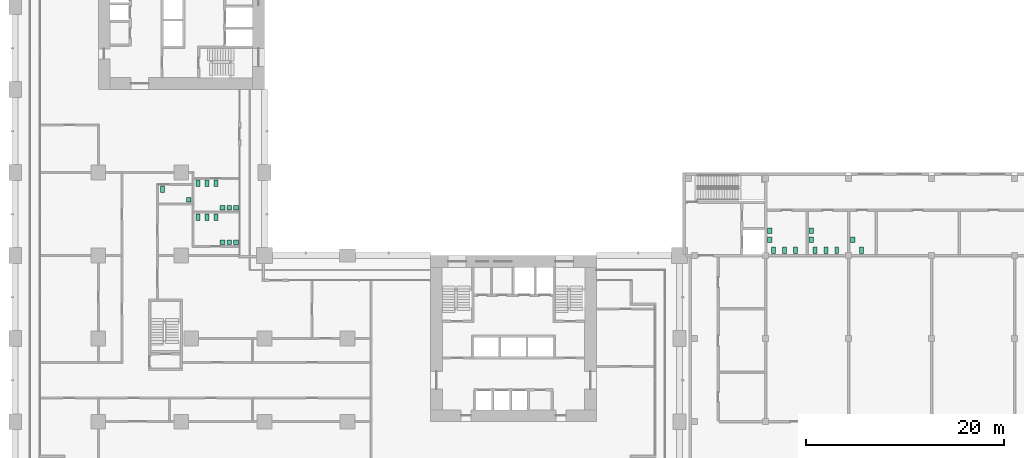
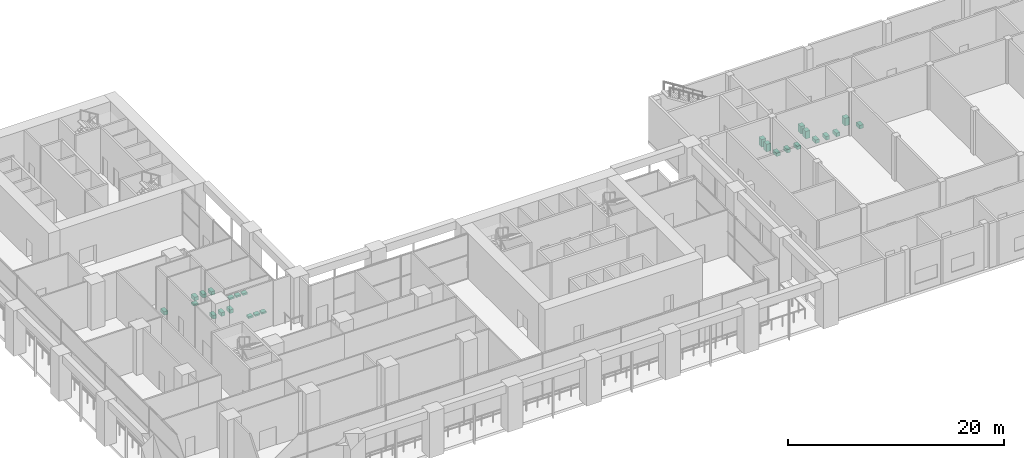
# One storey, part 32 of 32: 26 sanitary terminals.
"""IFC4 building model written with IfcOpenShell, lengths in metres."""

from ifc_helpers import new_model, si_unit, direction, frame, origin, origin_2d, place, context, subcontext, project, spatial, rectangle, extrude, material, element, save


model = new_model("IFC4")

# Units and contexts
model_context = context("Model", 3, precision=1e-05, world=origin(), true_north=direction((0.0, 1.0)))
body_context = subcontext(model_context, "Body", "Model", "MODEL_VIEW")
ifc_project = project(units=[si_unit("LENGTHUNIT", "METRE"), si_unit("AREAUNIT", "SQUARE_METRE"), si_unit("VOLUMEUNIT", "CUBIC_METRE"), si_unit("PLANEANGLEUNIT", "RADIAN"), si_unit("MASSUNIT", "GRAM", prefix="KILO")], contexts=[model_context])

# Site, building, storey
site_placement = place(None, origin())
site = spatial("IfcSite", under=ifc_project, at=site_placement, CompositionType="ELEMENT")
building_placement = place(site_placement, origin())
building = spatial("IfcBuilding", under=site, at=building_placement, Name="Vermilion Gate Residences", CompositionType="ELEMENT")
storey_placement = place(building_placement, frame((0.0, 0.0, 19.800048828125)))
storey = spatial("IfcBuildingStorey", under=building, at=storey_placement, Name="L03", CompositionType="ELEMENT", Elevation=19.800048828125)

# Sanitary terminals
ifc_material = material(Name="Vitreous china")
for number, where, z_axis, x_axis, name in (
    (1, (18.5, 29.10009765625, 0.0), (0.0, 0.0, 1.0), (1.0, 0.0, 0.0), "Water closet 1"),
    (2, (19.39990234375, 29.10009765625, 0.0), (0.0, 0.0, 1.0), (1.0, 0.0, 0.0), "Water closet 2"),
    (3, (20.300048828125, 29.10009765625, 0.0), (0.0, 0.0, 1.0), (1.0, 0.0, 0.0), "Water closet 3"),
):
    element("IfcSanitaryTerminal", number, at=place(storey_placement, frame(where, z_axis=z_axis, x_axis=x_axis)), inside=storey, material=ifc_material, Name=name, PredefinedType="TOILETPAN", context=body_context, shape_type="SweptSolid", body=[
        extrude(rectangle(XDim=0.39990234375, YDim=0.64990234375, at=origin_2d()), origin(), (0.0, 0.0, 1.0), 0.39990234375),
    ])
for number, where, z_axis, x_axis, name in (
    (4, (22.35009765625, 26.550048828125, 0.7001953125), (0.0, 0.0, 1.0), (1.0, 0.0, 0.0), "Wash basin 4"),
    (5, (21.64990234375, 26.550048828125, 0.7001953125), (0.0, 0.0, 1.0), (1.0, 0.0, 0.0), "Wash basin 5"),
    (6, (20.949951171875, 26.550048828125, 0.7001953125), (0.0, 0.0, 1.0), (1.0, 0.0, 0.0), "Wash basin 6"),
):
    element("IfcSanitaryTerminal", number, at=place(storey_placement, frame(where, z_axis=z_axis, x_axis=x_axis)), inside=storey, material=ifc_material, Name=name, PredefinedType="WASHHANDBASIN", context=body_context, shape_type="SweptSolid", body=[
        extrude(rectangle(XDim=0.5, YDim=0.449951171875, at=origin_2d()), origin(), (0.0, 0.0, 1.0), 0.199951171875),
    ])
for number, where, z_axis, x_axis, name in (
    (7, (18.5, 32.5, 0.0), (0.0, 0.0, 1.0), (1.0, 0.0, 0.0), "Water closet 7"),
    (8, (19.39990234375, 32.5, 0.0), (0.0, 0.0, 1.0), (1.0, 0.0, 0.0), "Water closet 8"),
    (9, (20.300048828125, 32.5, 0.0), (0.0, 0.0, 1.0), (1.0, 0.0, 0.0), "Water closet 9"),
):
    element("IfcSanitaryTerminal", number, at=place(storey_placement, frame(where, z_axis=z_axis, x_axis=x_axis)), inside=storey, material=ifc_material, Name=name, PredefinedType="TOILETPAN", context=body_context, shape_type="SweptSolid", body=[
        extrude(rectangle(XDim=0.39990234375, YDim=0.64990234375, at=origin_2d()), origin(), (0.0, 0.0, 1.0), 0.39990234375),
    ])
for number, where, z_axis, x_axis, name in (
    (10, (22.35009765625, 30.050048828125, 0.7001953125), (0.0, 0.0, 1.0), (1.0, 0.0, 0.0), "Wash basin 10"),
    (11, (21.64990234375, 30.050048828125, 0.7001953125), (0.0, 0.0, 1.0), (1.0, 0.0, 0.0), "Wash basin 11"),
    (12, (20.949951171875, 30.050048828125, 0.7001953125), (0.0, 0.0, 1.0), (1.0, 0.0, 0.0), "Wash basin 12"),
):
    element("IfcSanitaryTerminal", number, at=place(storey_placement, frame(where, z_axis=z_axis, x_axis=x_axis)), inside=storey, material=ifc_material, Name=name, PredefinedType="WASHHANDBASIN", context=body_context, shape_type="SweptSolid", body=[
        extrude(rectangle(XDim=0.5, YDim=0.449951171875, at=origin_2d()), origin(), (0.0, 0.0, 1.0), 0.199951171875),
    ])
sanitary_terminal_1_placement = place(storey_placement, frame((14.89990234375, 31.89990234375, 0.0), z_axis=(0.0, 0.0, 1.0), x_axis=(1.0, 0.0, 0.0)))
element("IfcSanitaryTerminal", 13, at=sanitary_terminal_1_placement, inside=storey, material=ifc_material, Name="Water closet 13", PredefinedType="TOILETPAN", context=body_context, shape_type="SweptSolid", body=[
    extrude(rectangle(XDim=0.39990234375, YDim=0.64990234375, at=origin_2d()), origin(), (0.0, 0.0, 1.0), 0.39990234375),
])
sanitary_terminal_2_placement = place(storey_placement, frame((17.550048828125, 30.85009765625, 0.7001953125), z_axis=(0.0, 0.0, 1.0), x_axis=(1.0, 0.0, 0.0)))
element("IfcSanitaryTerminal", 14, at=sanitary_terminal_2_placement, inside=storey, material=ifc_material, Name="Wash basin 14", PredefinedType="WASHHANDBASIN", context=body_context, shape_type="SweptSolid", body=[
    extrude(rectangle(XDim=0.5, YDim=0.449951171875, at=origin_2d()), origin(), (0.0, 0.0, 1.0), 0.199951171875),
])
for number, where, z_axis, x_axis, name in (
    (15, (76.72509765625, 25.75, 0.0), (0.0, 0.0, 1.0), (1.0, 0.0, 0.0), "WC pan Men's WC 1"),
    (16, (77.824951171875, 25.75, 0.0), (0.0, 0.0, 1.0), (1.0, 0.0, 0.0), "WC pan Men's WC 2"),
    (17, (78.925048828125, 25.75, 0.0), (0.0, 0.0, 1.0), (1.0, 0.0, 0.0), "WC pan Men's WC 3"),
):
    element("IfcSanitaryTerminal", number, at=place(storey_placement, frame(where, z_axis=z_axis, x_axis=x_axis)), inside=storey, material=ifc_material, Name=name, PredefinedType="TOILETPAN", context=body_context, shape_type="SweptSolid", body=[
        extrude(rectangle(XDim=0.39990234375, YDim=0.64990234375, at=origin_2d()), origin(), (0.0, 0.0, 1.0), 0.39990234375),
    ])
for number, where, z_axis, x_axis, name in (
    (18, (76.324951171875, 26.800048828125, 0.0), (0.0, 0.0, 1.0), (1.0, 0.0, 0.0), "Basin Men's WC 1"),
    (19, (76.324951171875, 27.699951171875, 0.0), (0.0, 0.0, 1.0), (1.0, 0.0, 0.0), "Basin Men's WC 2"),
):
    element("IfcSanitaryTerminal", number, at=place(storey_placement, frame(where, z_axis=z_axis, x_axis=x_axis)), inside=storey, material=ifc_material, Name=name, PredefinedType="WASHHANDBASIN", context=body_context, shape_type="SweptSolid", body=[
        extrude(rectangle(XDim=0.449951171875, YDim=0.550048828125, at=origin_2d()), origin(), (0.0, 0.0, 1.0), 0.85009765625),
    ])
for number, where, z_axis, x_axis, name in (
    (20, (80.89990234375, 25.75, 0.0), (0.0, 0.0, 1.0), (1.0, 0.0, 0.0), "WC pan Women's WC 1"),
    (21, (82.0, 25.75, 0.0), (0.0, 0.0, 1.0), (1.0, 0.0, 0.0), "WC pan Women's WC 2"),
    (22, (83.10009765625, 25.75, 0.0), (0.0, 0.0, 1.0), (1.0, 0.0, 0.0), "WC pan Women's WC 3"),
):
    element("IfcSanitaryTerminal", number, at=place(storey_placement, frame(where, z_axis=z_axis, x_axis=x_axis)), inside=storey, material=ifc_material, Name=name, PredefinedType="TOILETPAN", context=body_context, shape_type="SweptSolid", body=[
        extrude(rectangle(XDim=0.39990234375, YDim=0.64990234375, at=origin_2d()), origin(), (0.0, 0.0, 1.0), 0.39990234375),
    ])
for number, where, z_axis, x_axis, name in (
    (23, (80.5, 26.800048828125, 0.0), (0.0, 0.0, 1.0), (1.0, 0.0, 0.0), "Basin Women's WC 1"),
    (24, (80.5, 27.699951171875, 0.0), (0.0, 0.0, 1.0), (1.0, 0.0, 0.0), "Basin Women's WC 2"),
):
    element("IfcSanitaryTerminal", number, at=place(storey_placement, frame(where, z_axis=z_axis, x_axis=x_axis)), inside=storey, material=ifc_material, Name=name, PredefinedType="WASHHANDBASIN", context=body_context, shape_type="SweptSolid", body=[
        extrude(rectangle(XDim=0.449951171875, YDim=0.550048828125, at=origin_2d()), origin(), (0.0, 0.0, 1.0), 0.85009765625),
    ])
sanitary_terminal_3_placement = place(storey_placement, frame((85.60009765625, 25.75, 0.0), z_axis=(0.0, 0.0, 1.0), x_axis=(1.0, 0.0, 0.0)))
element("IfcSanitaryTerminal", 25, at=sanitary_terminal_3_placement, inside=storey, material=ifc_material, Name="WC pan Accessible WC 1", PredefinedType="TOILETPAN", context=body_context, shape_type="SweptSolid", body=[
    extrude(rectangle(XDim=0.39990234375, YDim=0.64990234375, at=origin_2d()), origin(), (0.0, 0.0, 1.0), 0.39990234375),
])
sanitary_terminal_4_placement = place(storey_placement, frame((84.699951171875, 26.800048828125, 0.0), z_axis=(0.0, 0.0, 1.0), x_axis=(1.0, 0.0, 0.0)))
element("IfcSanitaryTerminal", 26, at=sanitary_terminal_4_placement, inside=storey, material=ifc_material, Name="Basin Accessible WC 1", PredefinedType="WASHHANDBASIN", context=body_context, shape_type="SweptSolid", body=[
    extrude(rectangle(XDim=0.449951171875, YDim=0.550048828125, at=origin_2d()), origin(), (0.0, 0.0, 1.0), 0.85009765625),
])

save(model, "model.ifc")
